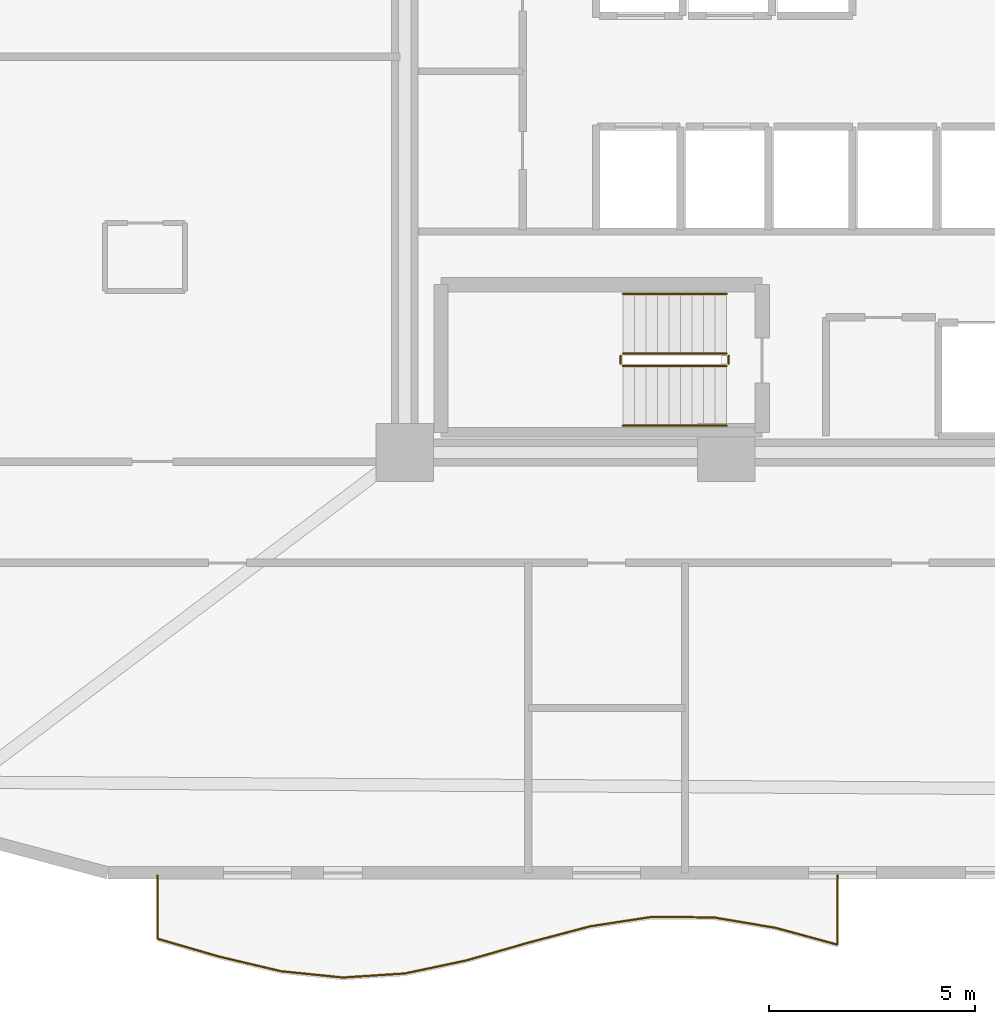
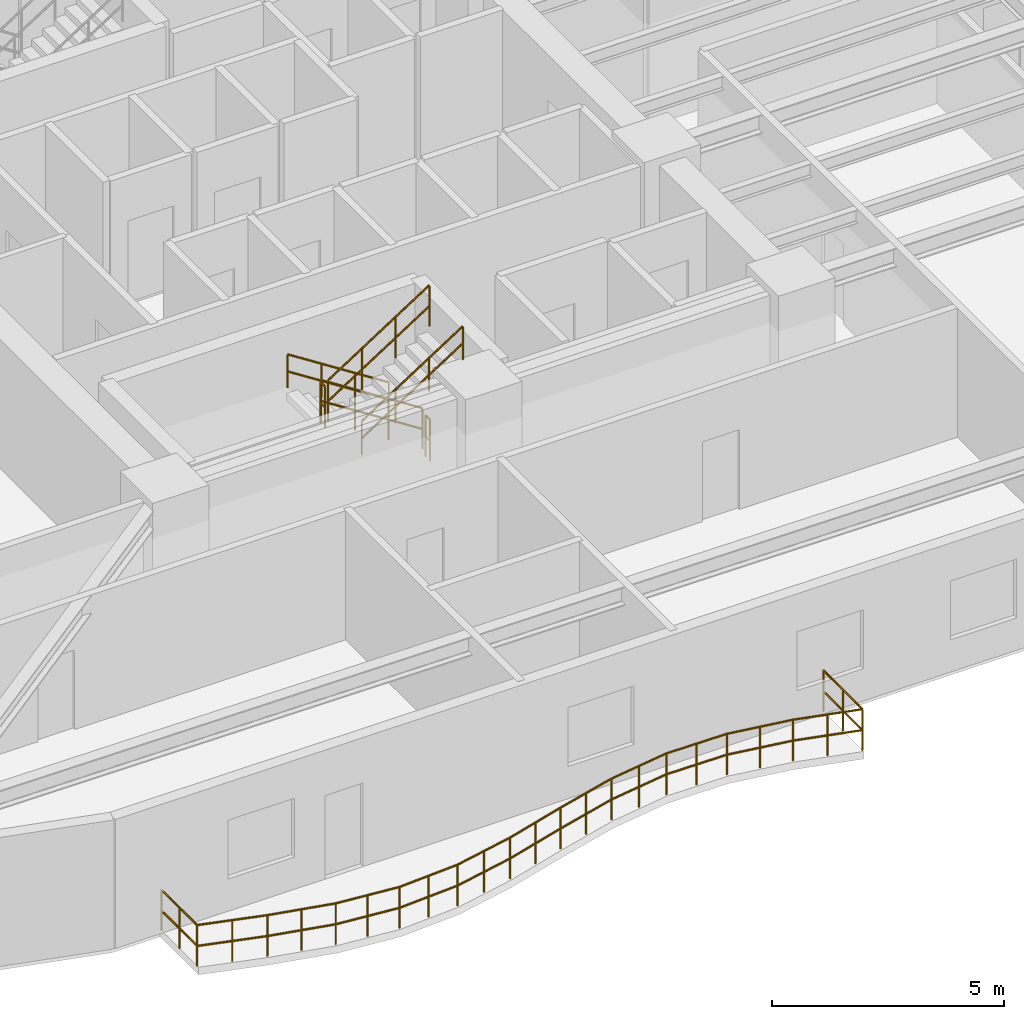
# One storey, part 14 of 16: 7 railings.
"""IFC4 building model written with IfcOpenShell, lengths in metres."""

import ifcopenshell
import ifcopenshell.guid

model = None  # the IFC model being written
_history = None  # IfcOwnerHistory: only IFC2X3 demands one
_inside = {}  # id of a spatial element -> (the spatial element, [elements in it])
_under = {}  # id of a project, library or spatial element -> (it, [spatial elements below it])
_declared = {}  # id of a project -> (the project, [libraries it declares])
_typed = {}  # id of a type object -> (the type object, [elements of that type])
_made_of = {}  # id of a material, layer set ... -> (it, [elements and type objects made of it])


def new_model(schema):
    """Start an empty IFC model of exactly this schema.

    Asked for "IFC4X3", IfcOpenShell would pick the latest addendum, in which some entities
    have other attributes; the version numbers below select the first issue.
    IFC2X3 requires an IfcOwnerHistory on every rooted entity: one is made here for all.
    """
    global model, _history
    if schema == "IFC4X3":
        model = ifcopenshell.file(schema_version=(4, 3, 0, 0))
    else:
        model = ifcopenshell.file(schema=schema)
    _inside.clear()
    _under.clear()
    _declared.clear()
    _typed.clear()
    _made_of.clear()
    _history = None
    if model.schema == "IFC2X3":
        org = make("IfcOrganization", Name="unknown")
        user = make(
            "IfcPersonAndOrganization",
            ThePerson=make("IfcPerson", FamilyName="unknown"),
            TheOrganization=org,
        )
        app = make(
            "IfcApplication",
            ApplicationDeveloper=org,
            Version="unknown",
            ApplicationFullName="unknown",
            ApplicationIdentifier="unknown",
        )
        _history = make(
            "IfcOwnerHistory",
            OwningUser=user,
            OwningApplication=app,
            ChangeAction="ADDED",
            CreationDate=0,
        )
    return model


def make(cls, **values):
    """One entity of the class cls with the attributes given. An attribute that is None is left unset."""
    return model.create_entity(
        cls, **{name: value for name, value in values.items() if value is not None}
    )


def rooted(cls, **values):
    """An entity with a GlobalId (a new one), such as an element, a storey or a relation."""
    return make(cls, GlobalId=ifcopenshell.guid.new(), OwnerHistory=_history, **values)


def si_unit(unit_type, name, prefix=None):
    """IfcSIUnit, for example si_unit("LENGTHUNIT", "METRE", prefix="MILLI")."""
    return make("IfcSIUnit", UnitType=unit_type, Prefix=prefix, Name=name)


def assignment(units):
    """IfcUnitAssignment: the units of a project."""
    return None if units is None else make("IfcUnitAssignment", Units=units)


def point(xyz):
    """IfcCartesianPoint."""
    return None if xyz is None else make("IfcCartesianPoint", Coordinates=xyz)


def direction(xyz):
    """IfcDirection."""
    return None if xyz is None else make("IfcDirection", DirectionRatios=xyz)


def frame(location, z_axis=None, x_axis=None):
    """IfcAxis2Placement3D, a coordinate frame: its origin and axes. An axis left out is left unset."""
    return make(
        "IfcAxis2Placement3D",
        Location=point(location),
        Axis=direction(z_axis),
        RefDirection=direction(x_axis),
    )


def frame_2d(location, x_axis=None):
    """IfcAxis2Placement2D, a coordinate frame in the plane: its origin and x axis."""
    return make(
        "IfcAxis2Placement2D", Location=point(location), RefDirection=direction(x_axis)
    )


def origin():
    """The frame at (0, 0, 0) with its axes left unset."""
    return frame((0.0, 0.0, 0.0))


def origin_2d():
    """The frame at (0, 0) in the plane with its x axis left unset."""
    return frame_2d((0.0, 0.0))


def place(relative_to, where):
    """IfcLocalPlacement: puts the frame where relative to a parent placement (None: the world)."""
    return make(
        "IfcLocalPlacement", PlacementRelTo=relative_to, RelativePlacement=where
    )


def context(
    kind, dimensions, precision=None, world=None, true_north=None, identifier=None
):
    """IfcGeometricRepresentationContext, for example the 3D "Model" context."""
    return make(
        "IfcGeometricRepresentationContext",
        ContextIdentifier=identifier,
        ContextType=kind,
        CoordinateSpaceDimension=dimensions,
        Precision=precision,
        WorldCoordinateSystem=world,
        TrueNorth=true_north,
    )


def subcontext(parent, identifier, kind, view, scale=None):
    """IfcGeometricRepresentationSubContext, for example "Body" below "Model"."""
    return make(
        "IfcGeometricRepresentationSubContext",
        ContextIdentifier=identifier,
        ContextType=kind,
        ParentContext=parent,
        TargetScale=scale,
        TargetView=view,
    )


def project(units=None, contexts=None):
    """IfcProject with its units and contexts."""
    return rooted(
        "IfcProject",
        Name="project",
        RepresentationContexts=contexts,
        UnitsInContext=assignment(units),
    )


def spatial(cls, under=None, at=None, **own):
    """A site, building, storey or space (cls), placed at a placement, below another one or the project."""
    s = rooted(cls, ObjectPlacement=at, **own)
    if under is not None:
        _under.setdefault(under.id(), (under, []))[1].append(s)
    return s


def profile(cls, at=None, kind="AREA", **sizes):
    """A parametric profile (cls). Its sizes go by their IFC names, for example OverallWidth=200.0."""
    return make(cls, ProfileType=kind, Position=at, **sizes)


def circle(**sizes):
    """IfcCircleProfileDef."""
    return profile("IfcCircleProfileDef", **sizes)


def extrude(swept, where, along, depth):
    """IfcExtrudedAreaSolid: the profile swept, set in the frame where, extruded along a direction by depth."""
    return make(
        "IfcExtrudedAreaSolid",
        SweptArea=swept,
        Position=where,
        ExtrudedDirection=direction(along),
        Depth=depth,
    )


def shape(context_of_items, identifier, shape_type, items):
    """IfcShapeRepresentation: the items that make up one representation, for example the "Body"."""
    return make(
        "IfcShapeRepresentation",
        ContextOfItems=context_of_items,
        RepresentationIdentifier=identifier,
        RepresentationType=shape_type,
        Items=items,
    )


def material(Name=None, Category=None):
    """IfcMaterial."""
    return make("IfcMaterial", Name=Name, Category=Category)


def made_of(thing, what):
    """Note that an element or type object is made of a material, layer set ...; save() writes the relation."""
    if what is not None:
        _made_of.setdefault(what.id(), (what, []))[1].append(thing)
    return thing


def type_object(cls, material=None, **own):
    """A type object (cls), such as IfcWallType, which elements share."""
    return made_of(rooted(cls, **own), material)


def element(
    cls,
    number,
    at=None,
    inside=None,
    cuts=None,
    type_object=None,
    material=None,
    context=None,
    identifier="Body",
    shape_type=None,
    held_by="IfcProductDefinitionShape",
    body=None,
    shapes=None,
    **own,
):
    """One element of the class cls, such as IfcWall. Its Tag is "e" and its number.

    at: its placement. inside: the storey or other place that contains it. cuts: it is an
    opening in that element (IfcRelVoidsElement). A single representation is given by context,
    identifier, shape_type and body (its items); several are given by shapes. held_by: the class
    of the entity that holds the representations. save() writes the other relations.
    """
    e = rooted(cls, Tag="e%d" % number, ObjectPlacement=at, **own)
    if body is not None:
        shapes = [shape(context, identifier, shape_type, body)]
    if shapes is not None:
        e.Representation = make(held_by, Representations=shapes)
    if inside is not None:
        _inside.setdefault(inside.id(), (inside, []))[1].append(e)
    if cuts is not None:
        rooted(
            "IfcRelVoidsElement", RelatingBuildingElement=cuts, RelatedOpeningElement=e
        )
    if type_object is not None:
        _typed.setdefault(type_object.id(), (type_object, []))[1].append(e)
    return made_of(e, material)


def aggregate(whole, parts):
    """IfcRelAggregates: a whole, such as a stair, and the parts it consists of."""
    return rooted("IfcRelAggregates", RelatingObject=whole, RelatedObjects=parts)


def save(model, path):
    """Write the relations noted so far, then the file.

    IfcRelAggregates (storeys below a building ...), IfcRelContainedInSpatialStructure (elements
    in a storey), IfcRelDefinesByType, IfcRelAssociatesMaterial and IfcRelDeclares: one each for
    every whole, place, type object, material and project.
    """
    for whole, parts in _under.values():
        aggregate(whole, parts)
    for where, things in _inside.values():
        rooted(
            "IfcRelContainedInSpatialStructure",
            RelatedElements=things,
            RelatingStructure=where,
        )
    for kind, things in _typed.values():
        rooted("IfcRelDefinesByType", RelatedObjects=things, RelatingType=kind)
    for what, things in _made_of.values():
        rooted("IfcRelAssociatesMaterial", RelatedObjects=things, RelatingMaterial=what)
    for by, libraries in _declared.values():
        rooted("IfcRelDeclares", RelatingContext=by, RelatedDefinitions=libraries)
    model.write(path)


model = new_model("IFC4")

# Units and contexts
model_context = context("Model", 3, precision=1e-05, world=origin(), true_north=direction((0.0, 1.0)))
body_context = subcontext(model_context, "Body", "Model", "MODEL_VIEW")
ifc_project = project(units=[si_unit("LENGTHUNIT", "METRE"), si_unit("AREAUNIT", "SQUARE_METRE"), si_unit("VOLUMEUNIT", "CUBIC_METRE"), si_unit("PLANEANGLEUNIT", "RADIAN"), si_unit("MASSUNIT", "GRAM", prefix="KILO")], contexts=[model_context])

# Site, building, storey
site_placement = place(None, origin())
site = spatial("IfcSite", under=ifc_project, at=site_placement, CompositionType="ELEMENT")
building_placement = place(site_placement, origin())
building = spatial("IfcBuilding", under=site, at=building_placement, Name="An Khanh Terracotta Commons", CompositionType="ELEMENT")
storey_placement = place(building_placement, frame((0.0, 0.0, 118.699951171875)))
storey = spatial("IfcBuildingStorey", under=building, at=storey_placement, Name="L31", CompositionType="ELEMENT", Elevation=118.699951171875)

# Railings
ifc_material_1 = material(Name="Brushed Stainless Steel 316", Category="steel")
railing_type_1 = type_object("IfcRailingType", Name="RAIL-BALUSTRADE-1100", PredefinedType="BALUSTRADE", material=ifc_material_1)
railing_1_placement = place(storey_placement, frame((15.60009765625, 4.139892578125, 0.0)))
element("IfcRailing", 1, at=railing_1_placement, inside=storey, type_object=railing_type_1, Name="L31 S Wave Balcony Guard Balustrade", PredefinedType="BALUSTRADE", context=body_context, shape_type="SweptSolid", body=[
    extrude(circle(Radius=0.02392578125, at=origin_2d()), frame((0.0, 0.0, 1.076171875), z_axis=(0.0, -1.0, 0.0), x_axis=(1.0, 0.0, 0.0)), (0.0, 0.0, 1.0), 1.535888671875),
    extrude(circle(Radius=0.02392578125, at=origin_2d()), frame((0.0, 0.0, 0.52587890625), z_axis=(0.0, -1.0, 0.0), x_axis=(1.0, 0.0, 0.0)), (0.0, 0.0, 1.0), 1.535888671875),
    extrude(circle(Radius=0.02392578125, at=origin_2d()), frame((0.0, -1.535888671875, 1.076171875), z_axis=(0.960419102414, -0.278559056071, 0.0), x_axis=(0.278559056071, 0.960419102414, 0.0)), (0.0, 0.0, 1.0), 1.561767578125),
    extrude(circle(Radius=0.02392578125, at=origin_2d()), frame((0.0, -1.535888671875, 0.52587890625), z_axis=(0.960419102414, -0.278559056071, 0.0), x_axis=(0.278559056071, 0.960419102414, 0.0)), (0.0, 0.0, 1.0), 1.561767578125),
    extrude(circle(Radius=0.02392578125, at=origin_2d()), frame((1.5, -1.970947265625, 1.076171875), z_axis=(0.973263214687, -0.229692653206, 0.0), x_axis=(0.229692653206, 0.973263214687, 0.0)), (0.0, 0.0, 1.0), 1.541259765625),
    extrude(circle(Radius=0.02392578125, at=origin_2d()), frame((1.5, -1.970947265625, 0.52587890625), z_axis=(0.973263214687, -0.229692653206, 0.0), x_axis=(0.229692653206, 0.973263214687, 0.0)), (0.0, 0.0, 1.0), 1.541259765625),
    extrude(circle(Radius=0.02392578125, at=origin_2d()), frame((3.0, -2.324951171875, 1.076171875), z_axis=(0.994849482387, -0.101363244788, 0.0), x_axis=(0.101363244788, 0.994849482387, 0.0)), (0.0, 0.0, 1.0), 1.5078125),
    extrude(circle(Radius=0.02392578125, at=origin_2d()), frame((3.0, -2.324951171875, 0.52587890625), z_axis=(0.994849482387, -0.101363244788, 0.0), x_axis=(0.101363244788, 0.994849482387, 0.0)), (0.0, 0.0, 1.0), 1.5078125),
    extrude(circle(Radius=0.02392578125, at=origin_2d()), frame((4.5, -2.477783203125, 1.076171875), z_axis=(0.99787689467, 0.065128358523, 0.0), x_axis=(-0.065128358523, 0.99787689467, 0.0)), (0.0, 0.0, 1.0), 1.503173828125),
    extrude(circle(Radius=0.02392578125, at=origin_2d()), frame((4.5, -2.477783203125, 0.52587890625), z_axis=(0.99787689467, 0.065128358523, 0.0), x_axis=(-0.065128358523, 0.99787689467, 0.0)), (0.0, 0.0, 1.0), 1.503173828125),
    extrude(circle(Radius=0.02392578125, at=origin_2d()), frame((6.0, -2.3798828125, 1.076171875), z_axis=(0.978275241205, 0.207310280607, 0.0), x_axis=(-0.207310280607, 0.978275241205, 0.0)), (0.0, 0.0, 1.0), 1.533203125),
    extrude(circle(Radius=0.02392578125, at=origin_2d()), frame((6.0, -2.3798828125, 0.52587890625), z_axis=(0.978275241205, 0.207310280607, 0.0), x_axis=(-0.207310280607, 0.978275241205, 0.0)), (0.0, 0.0, 1.0), 1.533203125),
    extrude(circle(Radius=0.02392578125, at=origin_2d()), frame((7.5, -2.06201171875, 1.076171875), z_axis=(0.961251897699, 0.275671524047, 0.0), x_axis=(-0.275671524047, 0.961251897699, 0.0)), (0.0, 0.0, 1.0), 1.560546875),
    extrude(circle(Radius=0.02392578125, at=origin_2d()), frame((7.5, -2.06201171875, 0.52587890625), z_axis=(0.961251897699, 0.275671524047, 0.0), x_axis=(-0.275671524047, 0.961251897699, 0.0)), (0.0, 0.0, 1.0), 1.560546875),
    extrude(circle(Radius=0.02392578125, at=origin_2d()), frame((9.0, -1.6318359375, 1.076171875), z_axis=(0.966718963822, 0.255840663277, 0.0), x_axis=(-0.255840663277, 0.966718963822, 0.0)), (0.0, 0.0, 1.0), 1.5517578125),
    extrude(circle(Radius=0.02392578125, at=origin_2d()), frame((9.0, -1.6318359375, 0.52587890625), z_axis=(0.966718963822, 0.255840663277, 0.0), x_axis=(-0.255840663277, 0.966718963822, 0.0)), (0.0, 0.0, 1.0), 1.5517578125),
    extrude(circle(Radius=0.02392578125, at=origin_2d()), frame((10.5, -1.23486328125, 1.076171875), z_axis=(0.988545890906, 0.15092058035, 0.0), x_axis=(-0.15092058035, 0.988545890906, 0.0)), (0.0, 0.0, 1.0), 1.517333984375),
    extrude(circle(Radius=0.02392578125, at=origin_2d()), frame((10.5, -1.23486328125, 0.52587890625), z_axis=(0.988545890906, 0.15092058035, 0.0), x_axis=(-0.15092058035, 0.988545890906, 0.0)), (0.0, 0.0, 1.0), 1.517333984375),
    extrude(circle(Radius=0.02392578125, at=origin_2d()), frame((12.0, -1.005859375, 1.076171875), z_axis=(0.999956968224, -0.009276944529, 0.0), x_axis=(0.009276944529, 0.999956968224, 0.0)), (0.0, 0.0, 1.0), 1.5),
    extrude(circle(Radius=0.02392578125, at=origin_2d()), frame((12.0, -1.005859375, 0.52587890625), z_axis=(0.999956968224, -0.009276944529, 0.0), x_axis=(0.009276944529, 0.999956968224, 0.0)), (0.0, 0.0, 1.0), 1.5),
    extrude(circle(Radius=0.02392578125, at=origin_2d()), frame((13.5, -1.019775390625, 1.076171875), z_axis=(0.986053503704, -0.166428626846, 0.0), x_axis=(0.166428626846, 0.986053503704, 0.0)), (0.0, 0.0, 1.0), 1.521240234375),
    extrude(circle(Radius=0.02392578125, at=origin_2d()), frame((13.5, -1.019775390625, 0.52587890625), z_axis=(0.986053503704, -0.166428626846, 0.0), x_axis=(0.166428626846, 0.986053503704, 0.0)), (0.0, 0.0, 1.0), 1.521240234375),
    extrude(circle(Radius=0.02392578125, at=origin_2d()), frame((15.0, -1.27294921875, 1.076171875), z_axis=(0.964948425307, -0.262439586375, 0.0), x_axis=(0.262439586375, 0.964948425307, 0.0)), (0.0, 0.0, 1.0), 1.554443359375),
    extrude(circle(Radius=0.02392578125, at=origin_2d()), frame((15.0, -1.27294921875, 0.52587890625), z_axis=(0.964948425307, -0.262439586375, 0.0), x_axis=(0.262439586375, 0.964948425307, 0.0)), (0.0, 0.0, 1.0), 1.554443359375),
    extrude(circle(Radius=0.02392578125, at=origin_2d()), frame((16.5, -1.680908203125, 1.076171875), z_axis=(0.0, 1.0, 0.0), x_axis=(-1.0, 0.0, 0.0)), (0.0, 0.0, 1.0), 1.680908203125),
    extrude(circle(Radius=0.02392578125, at=origin_2d()), frame((16.5, -1.680908203125, 0.52587890625), z_axis=(0.0, 1.0, 0.0), x_axis=(-1.0, 0.0, 0.0)), (0.0, 0.0, 1.0), 1.680908203125),
    extrude(circle(Radius=0.02099609375, at=origin_2d()), origin(), (0.0, 0.0, 1.0), 1.052001953125),
    extrude(circle(Radius=0.02099609375, at=origin_2d()), frame((0.0, -0.76806640625, 0.0)), (0.0, 0.0, 1.0), 1.052001953125),
    extrude(circle(Radius=0.02099609375, at=origin_2d()), frame((0.0, -1.535888671875, 0.0)), (0.0, 0.0, 1.0), 1.052001953125),
    extrude(circle(Radius=0.02099609375, at=origin_2d()), frame((0.75, -1.75341796875, 0.0)), (0.0, 0.0, 1.0), 1.052001953125),
    extrude(circle(Radius=0.02099609375, at=origin_2d()), frame((1.5, -1.970947265625, 0.0)), (0.0, 0.0, 1.0), 1.052001953125),
    extrude(circle(Radius=0.02099609375, at=origin_2d()), frame((2.25, -2.14794921875, 0.0)), (0.0, 0.0, 1.0), 1.052001953125),
    extrude(circle(Radius=0.02099609375, at=origin_2d()), frame((3.0, -2.324951171875, 0.0)), (0.0, 0.0, 1.0), 1.052001953125),
    extrude(circle(Radius=0.02099609375, at=origin_2d()), frame((3.75, -2.4013671875, 0.0)), (0.0, 0.0, 1.0), 1.052001953125),
    extrude(circle(Radius=0.02099609375, at=origin_2d()), frame((4.5, -2.477783203125, 0.0)), (0.0, 0.0, 1.0), 1.052001953125),
    extrude(circle(Radius=0.02099609375, at=origin_2d()), frame((5.25, -2.4287109375, 0.0)), (0.0, 0.0, 1.0), 1.052001953125),
    extrude(circle(Radius=0.02099609375, at=origin_2d()), frame((6.0, -2.3798828125, 0.0)), (0.0, 0.0, 1.0), 1.052001953125),
    extrude(circle(Radius=0.02099609375, at=origin_2d()), frame((6.75, -2.220947265625, 0.0)), (0.0, 0.0, 1.0), 1.052001953125),
    extrude(circle(Radius=0.02099609375, at=origin_2d()), frame((7.5, -2.06201171875, 0.0)), (0.0, 0.0, 1.0), 1.052001953125),
    extrude(circle(Radius=0.02099609375, at=origin_2d()), frame((8.25, -1.846923828125, 0.0)), (0.0, 0.0, 1.0), 1.052001953125),
    extrude(circle(Radius=0.02099609375, at=origin_2d()), frame((9.0, -1.6318359375, 0.0)), (0.0, 0.0, 1.0), 1.052001953125),
    extrude(circle(Radius=0.02099609375, at=origin_2d()), frame((9.75, -1.433349609375, 0.0)), (0.0, 0.0, 1.0), 1.052001953125),
    extrude(circle(Radius=0.02099609375, at=origin_2d()), frame((10.5, -1.23486328125, 0.0)), (0.0, 0.0, 1.0), 1.052001953125),
    extrude(circle(Radius=0.02099609375, at=origin_2d()), frame((11.25, -1.120361328125, 0.0)), (0.0, 0.0, 1.0), 1.052001953125),
    extrude(circle(Radius=0.02099609375, at=origin_2d()), frame((12.0, -1.005859375, 0.0)), (0.0, 0.0, 1.0), 1.052001953125),
    extrude(circle(Radius=0.02099609375, at=origin_2d()), frame((12.75, -1.0126953125, 0.0)), (0.0, 0.0, 1.0), 1.052001953125),
    extrude(circle(Radius=0.02099609375, at=origin_2d()), frame((13.5, -1.019775390625, 0.0)), (0.0, 0.0, 1.0), 1.052001953125),
    extrude(circle(Radius=0.02099609375, at=origin_2d()), frame((14.25, -1.146484375, 0.0)), (0.0, 0.0, 1.0), 1.052001953125),
    extrude(circle(Radius=0.02099609375, at=origin_2d()), frame((15.0, -1.27294921875, 0.0)), (0.0, 0.0, 1.0), 1.052001953125),
    extrude(circle(Radius=0.02099609375, at=origin_2d()), frame((15.75, -1.47705078125, 0.0)), (0.0, 0.0, 1.0), 1.052001953125),
    extrude(circle(Radius=0.02099609375, at=origin_2d()), frame((16.5, -1.680908203125, 0.0)), (0.0, 0.0, 1.0), 1.052001953125),
    extrude(circle(Radius=0.02099609375, at=origin_2d()), frame((16.5, -0.84033203125, 0.0)), (0.0, 0.0, 1.0), 1.052001953125),
    extrude(circle(Radius=0.02099609375, at=origin_2d()), frame((16.5, 0.0, 0.0)), (0.0, 0.0, 1.0), 1.052001953125),
])
railing_type_2 = type_object("IfcRailingType", Name="RAIL-HANDRAIL-900", PredefinedType="HANDRAIL", material=ifc_material_1)
railing_2_placement = place(storey_placement, frame((29.409912109375, 18.25, 0.179931640625)))
element("IfcRailing", 2, at=railing_2_placement, inside=storey, type_object=railing_type_2, Name="L31 ST-02 stair handrail 1", PredefinedType="HANDRAIL", context=body_context, shape_type="SweptSolid", body=[
    extrude(circle(Radius=0.02392578125, at=origin_2d()), frame((0.0, 0.0, 0.8759765625), z_axis=(-0.841162588446, 0.0, 0.540782303519), x_axis=(0.0, -1.0, 0.0)), (0.0, 0.0, 1.0), 2.995849609375),
    extrude(circle(Radius=0.02392578125, at=origin_2d()), frame((0.0, 0.0, 0.42578125), z_axis=(-0.841162588446, 0.0, 0.540782303519), x_axis=(0.0, -1.0, 0.0)), (0.0, 0.0, 1.0), 2.995849609375),
    extrude(circle(Radius=0.02099609375, at=origin_2d()), origin(), (0.0, 0.0, 1.0), 0.851806640625),
    extrude(circle(Radius=0.02099609375, at=origin_2d()), frame((-0.840087890625, 0.0, 0.5400390625)), (0.0, 0.0, 1.0), 0.851806640625),
    extrude(circle(Radius=0.02099609375, at=origin_2d()), frame((-1.679931640625, 0.0, 1.080078125)), (0.0, 0.0, 1.0), 0.851806640625),
    extrude(circle(Radius=0.02099609375, at=origin_2d()), frame((-2.52001953125, 0.0, 1.6201171875)), (0.0, 0.0, 1.0), 0.851806640625),
])
railing_3_placement = place(storey_placement, frame((26.889892578125, 15.050048828125, 1.97998046875)))
element("IfcRailing", 3, at=railing_3_placement, inside=storey, type_object=railing_type_2, Name="L31 ST-02 stair handrail 2", PredefinedType="HANDRAIL", context=body_context, shape_type="SweptSolid", body=[
    extrude(circle(Radius=0.02392578125, at=origin_2d()), frame((0.0, 0.0, 0.8759765625), z_axis=(0.841162588446, 0.0, 0.540782303519), x_axis=(0.0, 1.0, 0.0)), (0.0, 0.0, 1.0), 2.995849609375),
    extrude(circle(Radius=0.02392578125, at=origin_2d()), frame((0.0, 0.0, 0.42578125), z_axis=(0.841162588446, 0.0, 0.540782303519), x_axis=(0.0, 1.0, 0.0)), (0.0, 0.0, 1.0), 2.995849609375),
    extrude(circle(Radius=0.02099609375, at=origin_2d()), origin(), (0.0, 0.0, 1.0), 0.851806640625),
    extrude(circle(Radius=0.02099609375, at=origin_2d()), frame((0.840087890625, 0.0, 0.5400390625)), (0.0, 0.0, 1.0), 0.851806640625),
    extrude(circle(Radius=0.02099609375, at=origin_2d()), frame((1.679931640625, 0.0, 1.080078125)), (0.0, 0.0, 1.0), 0.851806640625),
    extrude(circle(Radius=0.02099609375, at=origin_2d()), frame((2.52001953125, 0.0, 1.6201171875)), (0.0, 0.0, 1.0), 0.851806640625),
])
ifc_material_2 = material(Name="Powder-Coated Steel S355J2", Category="steel")
railing_type_3 = type_object("IfcRailingType", Name="RAIL-STAIR-GUARD-1100", PredefinedType="BALUSTRADE", material=ifc_material_2)
railing_4_placement = place(storey_placement, frame((29.409912109375, 16.800048828125, 0.179931640625)))
element("IfcRailing", 4, at=railing_4_placement, inside=storey, type_object=railing_type_3, Name="L31 ST-02 stair guard 1", PredefinedType="BALUSTRADE", context=body_context, shape_type="SweptSolid", body=[
    extrude(circle(Radius=0.02392578125, at=origin_2d()), frame((0.0, 0.0, 1.076171875), z_axis=(-0.841162588446, 0.0, 0.540782303519), x_axis=(0.0, -1.0, 0.0)), (0.0, 0.0, 1.0), 2.995849609375),
    extrude(circle(Radius=0.02392578125, at=origin_2d()), frame((0.0, 0.0, 0.52587890625), z_axis=(-0.841162588446, 0.0, 0.540782303519), x_axis=(0.0, -1.0, 0.0)), (0.0, 0.0, 1.0), 2.995849609375),
    extrude(circle(Radius=0.02099609375, at=origin_2d()), origin(), (0.0, 0.0, 1.0), 1.052001953125),
    extrude(circle(Radius=0.02099609375, at=origin_2d()), frame((-0.840087890625, 0.0, 0.5400390625)), (0.0, 0.0, 1.0), 1.052001953125),
    extrude(circle(Radius=0.02099609375, at=origin_2d()), frame((-1.679931640625, 0.0, 1.080078125)), (0.0, 0.0, 1.0), 1.052001953125),
    extrude(circle(Radius=0.02099609375, at=origin_2d()), frame((-2.52001953125, 0.0, 1.6201171875)), (0.0, 0.0, 1.0), 1.052001953125),
])
railing_5_placement = place(storey_placement, frame((26.840087890625, 16.75, 1.800048828125)))
element("IfcRailing", 5, at=railing_5_placement, inside=storey, type_object=railing_type_3, Name="L31 ST-02 stair guard 2", PredefinedType="BALUSTRADE", context=body_context, shape_type="SweptSolid", body=[
    extrude(circle(Radius=0.02392578125, at=origin_2d()), frame((0.0, 0.0, 1.076171875), z_axis=(0.0, -1.0, 0.0), x_axis=(1.0, 0.0, 0.0)), (0.0, 0.0, 1.0), 0.199951171875),
    extrude(circle(Radius=0.02392578125, at=origin_2d()), frame((0.0, 0.0, 0.52587890625), z_axis=(0.0, -1.0, 0.0), x_axis=(1.0, 0.0, 0.0)), (0.0, 0.0, 1.0), 0.199951171875),
    extrude(circle(Radius=0.02099609375, at=origin_2d()), origin(), (0.0, 0.0, 1.0), 1.052001953125),
    extrude(circle(Radius=0.02099609375, at=origin_2d()), frame((0.0, -0.199951171875, 0.0)), (0.0, 0.0, 1.0), 1.052001953125),
])
railing_6_placement = place(storey_placement, frame((26.889892578125, 16.5, 1.97998046875)))
element("IfcRailing", 6, at=railing_6_placement, inside=storey, type_object=railing_type_3, Name="L31 ST-02 stair guard 3", PredefinedType="BALUSTRADE", context=body_context, shape_type="SweptSolid", body=[
    extrude(circle(Radius=0.02392578125, at=origin_2d()), frame((0.0, 0.0, 1.076171875), z_axis=(0.841162588446, 0.0, 0.540782303519), x_axis=(0.0, 1.0, 0.0)), (0.0, 0.0, 1.0), 2.995849609375),
    extrude(circle(Radius=0.02392578125, at=origin_2d()), frame((0.0, 0.0, 0.52587890625), z_axis=(0.841162588446, 0.0, 0.540782303519), x_axis=(0.0, 1.0, 0.0)), (0.0, 0.0, 1.0), 2.995849609375),
    extrude(circle(Radius=0.02099609375, at=origin_2d()), origin(), (0.0, 0.0, 1.0), 1.052001953125),
    extrude(circle(Radius=0.02099609375, at=origin_2d()), frame((0.840087890625, 0.0, 0.5400390625)), (0.0, 0.0, 1.0), 1.052001953125),
    extrude(circle(Radius=0.02099609375, at=origin_2d()), frame((1.679931640625, 0.0, 1.080078125)), (0.0, 0.0, 1.0), 1.052001953125),
    extrude(circle(Radius=0.02099609375, at=origin_2d()), frame((2.52001953125, 0.0, 1.6201171875)), (0.0, 0.0, 1.0), 1.052001953125),
])
railing_7_placement = place(storey_placement, frame((29.4599609375, 16.75, 0.0)))
element("IfcRailing", 7, at=railing_7_placement, inside=storey, type_object=railing_type_3, Name="L31 ST-02 stair guard 4", PredefinedType="BALUSTRADE", context=body_context, shape_type="SweptSolid", body=[
    extrude(circle(Radius=0.02392578125, at=origin_2d()), frame((0.0, 0.0, 1.076171875), z_axis=(0.0, -1.0, 0.0), x_axis=(1.0, 0.0, 0.0)), (0.0, 0.0, 1.0), 0.199951171875),
    extrude(circle(Radius=0.02392578125, at=origin_2d()), frame((0.0, 0.0, 0.52587890625), z_axis=(0.0, -1.0, 0.0), x_axis=(1.0, 0.0, 0.0)), (0.0, 0.0, 1.0), 0.199951171875),
    extrude(circle(Radius=0.02099609375, at=origin_2d()), origin(), (0.0, 0.0, 1.0), 1.052001953125),
    extrude(circle(Radius=0.02099609375, at=origin_2d()), frame((0.0, -0.199951171875, 0.0)), (0.0, 0.0, 1.0), 1.052001953125),
])

save(model, "model.ifc")
